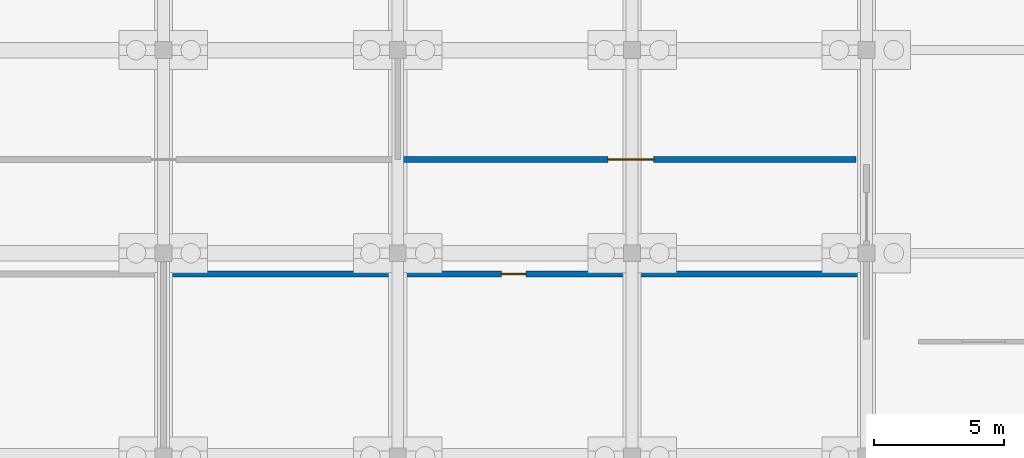
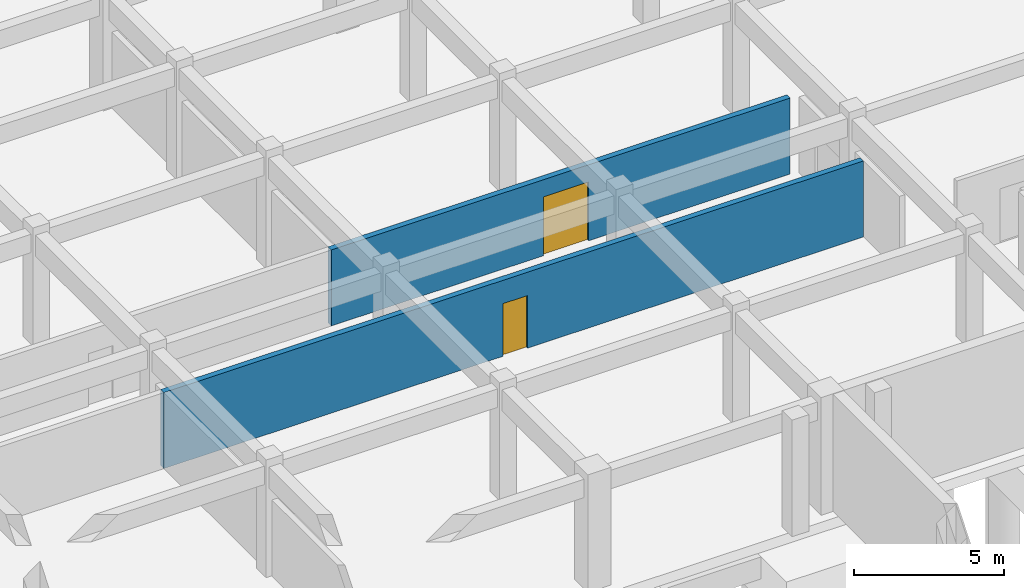
# One storey, part 17 of 26: 2 doors, 2 walls, 2 openings.
"""IFC4 building model written with IfcOpenShell, lengths in metres."""

from ifc_helpers import new_model, si_unit, direction, frame, frame_2d, origin, place, context, subcontext, project, spatial, rectangle, extrude, material, layer, layer_set, type_object, element, fill, save


model = new_model("IFC4")

# Units and contexts
model_context = context("Model", 3, precision=1e-05, world=origin(), true_north=direction((0.0, 1.0)))
body_context = subcontext(model_context, "Body", "Model", "MODEL_VIEW")
ifc_project = project(units=[si_unit("LENGTHUNIT", "METRE"), si_unit("AREAUNIT", "SQUARE_METRE"), si_unit("VOLUMEUNIT", "CUBIC_METRE"), si_unit("PLANEANGLEUNIT", "RADIAN"), si_unit("MASSUNIT", "GRAM", prefix="KILO")], contexts=[model_context])

# Site, building, storey
site_placement = place(None, origin())
site = spatial("IfcSite", under=ifc_project, at=site_placement, CompositionType="ELEMENT")
building_placement = place(site_placement, origin())
building = spatial("IfcBuilding", under=site, at=building_placement, Name="Tizgana Railside Sports Hall", CompositionType="ELEMENT")
storey_placement = place(building_placement, frame((0.0, 0.0, -4.800048828125)))
storey = spatial("IfcBuildingStorey", under=building, at=storey_placement, Name="B1", CompositionType="ELEMENT", Elevation=-4.800048828125)

# Wall, opening, door
ifc_material_1 = material(Name="Masonry blockwork", Category="masonry")
ifc_layer = layer(ifc_material_1, 0.219970703125, Name="Masonry blockwork")
ifc_layer_set = layer_set([ifc_layer], Name="Masonry blockwork")
wall_type = type_object("IfcWallType", Name="Equipment Store Fire Wall 220", PredefinedType="STANDARD", material=ifc_layer_set)
wall_1_placement = place(storey_placement, frame((106.68994140625, 53.800048828125, 0.0), z_axis=(0.0, 0.0, 1.0), x_axis=(1.0, 0.0, 0.0)))
wall_1 = element("IfcWall", 1, at=wall_1_placement, inside=storey, type_object=wall_type, Name="B1 Partition PWAL-0238", PredefinedType="STANDARD", context=body_context, shape_type="SweptSolid", body=[
    extrude(rectangle(XDim=26.9951171875, YDim=0.219970703125, at=frame_2d((13.49755859375, 0.0))), origin(), (0.0, 0.0, 1.0), 3.10009765625),
])
opening_1_placement = place(wall_1_placement, frame((13.0849609375, 0.0, 0.0)))
opening_1 = element("IfcOpeningElement", 2, at=opening_1_placement, cuts=wall_1, Name="Opening D-0234", PredefinedType="OPENING", context=body_context, shape_type="SweptSolid", body=[
    extrude(rectangle(XDim=0.949951171875, YDim=2.14990234375, at=frame_2d((0.47509765625, 1.074951171875))), frame((0.0, 0.119873046875, 0.0), z_axis=(0.0, -1.0, 0.0), x_axis=(1.0, 0.0, 0.0)), (0.0, 0.0, 1.0), 0.239990234375),
])
ifc_material_2 = material(Name="Galvanised steel sheet", Category="steel")
door_type_1 = type_object("IfcDoorType", Name="Plant & Riser Fire Door 950x2150", OperationType="NOTDEFINED", PredefinedType="DOOR", material=ifc_material_2)
door_1_placement = place(opening_1_placement, origin())
door_1 = element("IfcDoor", 3, at=door_1_placement, inside=storey, type_object=door_type_1, Name="B1 Door D-0234", OperationType="SINGLE_SWING_RIGHT", OverallHeight=2.14990234375, OverallWidth=0.949951171875, PredefinedType="DOOR", context=body_context, shape_type="SweptSolid", body=[
    extrude(rectangle(XDim=0.949951171875, YDim=2.14990234375, at=frame_2d((0.47509765625, 1.074951171875))), frame((0.0, 0.02490234375, 0.0), z_axis=(0.0, -1.0, 0.0), x_axis=(1.0, 0.0, 0.0)), (0.0, 0.0, 1.0), 0.050048828125),
])
fill(opening_1, door_1)

wall_2_placement = place(storey_placement, frame((115.68994140625, 58.199951171875, 0.0), z_axis=(0.0, 0.0, 1.0), x_axis=(1.0, 0.0, 0.0)))
wall_2 = element("IfcWall", 4, at=wall_2_placement, inside=storey, type_object=wall_type, Name="B1 Partition PWAL-0241", PredefinedType="STANDARD", context=body_context, shape_type="SweptSolid", body=[
    extrude(rectangle(XDim=17.7099609375, YDim=0.219970703125, at=frame_2d((8.85498046875, 0.0))), origin(), (0.0, 0.0, 1.0), 3.10009765625),
])
opening_2_placement = place(wall_2_placement, frame((8.18505859375, 0.0, 0.0)))
opening_2 = element("IfcOpeningElement", 5, at=opening_2_placement, cuts=wall_2, Name="Opening D-0237", PredefinedType="OPENING", context=body_context, shape_type="SweptSolid", body=[
    extrude(rectangle(XDim=1.75, YDim=2.39990234375, at=frame_2d((0.875, 1.199951171875))), frame((0.0, 0.119873046875, 0.0), z_axis=(0.0, -1.0, 0.0), x_axis=(1.0, 0.0, 0.0)), (0.0, 0.0, 1.0), 0.239990234375),
])
door_type_2 = type_object("IfcDoorType", Name="Equipment Store Double Fire Door 1750x2400", OperationType="NOTDEFINED", PredefinedType="DOOR", material=ifc_material_2)
door_2_placement = place(opening_2_placement, origin())
door_2 = element("IfcDoor", 6, at=door_2_placement, inside=storey, type_object=door_type_2, Name="B1 Door D-0237", OperationType="DOUBLE_DOOR_SINGLE_SWING", OverallHeight=2.39990234375, OverallWidth=1.75, PredefinedType="DOOR", context=body_context, shape_type="SweptSolid", body=[
    extrude(rectangle(XDim=1.75, YDim=2.39990234375, at=frame_2d((0.875, 1.199951171875))), frame((0.0, 0.02490234375, 0.0), z_axis=(0.0, -1.0, 0.0), x_axis=(1.0, 0.0, 0.0)), (0.0, 0.0, 1.0), 0.050048828125),
])
fill(opening_2, door_2)

save(model, "model.ifc")
